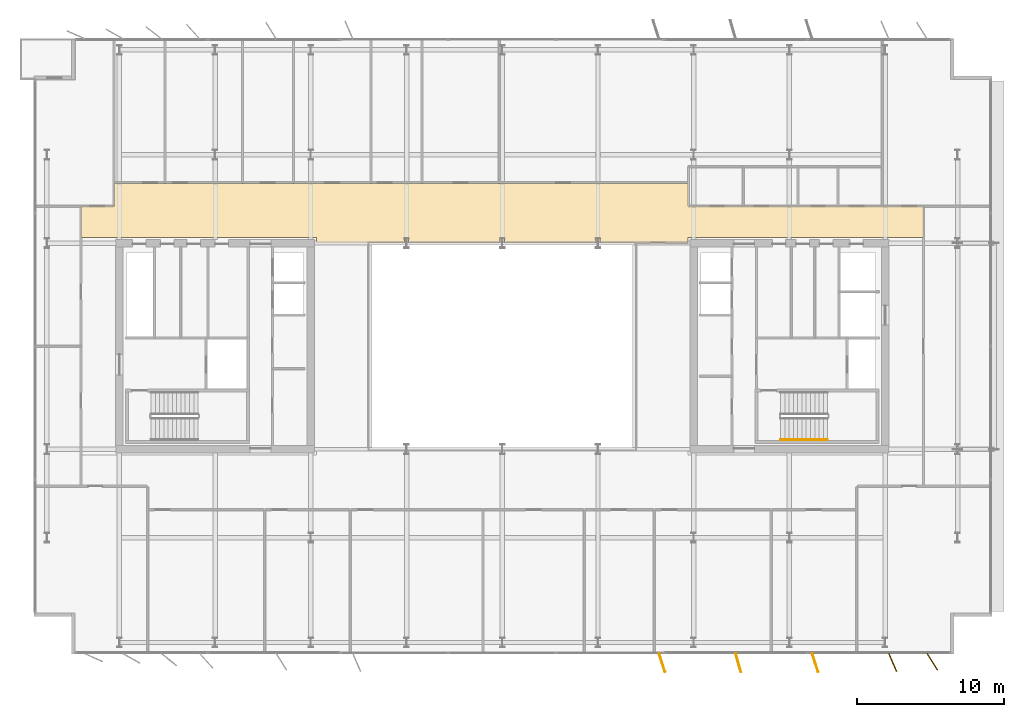
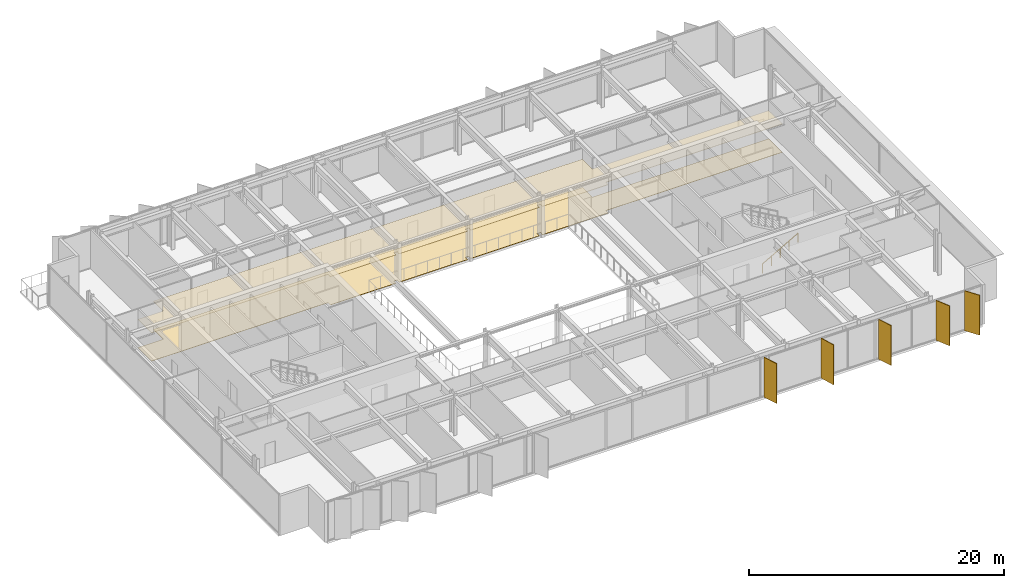
# One storey, part 19 of 21: 5 shading devices, 2 coverings, 1 railing.
"""IFC4 building model written with IfcOpenShell, lengths in metres."""

from ifc_helpers import new_model, si_unit, direction, frame, origin, origin_2d, place, context, subcontext, project, spatial, polyline, rectangle, circle, outline, extrude, material, layer, layer_set, type_object, element, save


model = new_model("IFC4")

# Units and contexts
model_context = context("Model", 3, precision=1e-05, world=origin(), true_north=direction((0.0, 1.0)))
body_context = subcontext(model_context, "Body", "Model", "MODEL_VIEW")
ifc_project = project(units=[si_unit("LENGTHUNIT", "METRE"), si_unit("AREAUNIT", "SQUARE_METRE"), si_unit("VOLUMEUNIT", "CUBIC_METRE"), si_unit("PLANEANGLEUNIT", "RADIAN"), si_unit("MASSUNIT", "GRAM", prefix="KILO")], contexts=[model_context])

# Site, building, storey
site_placement = place(None, origin())
site = spatial("IfcSite", under=ifc_project, at=site_placement, CompositionType="ELEMENT")
building_placement = place(site_placement, origin())
building = spatial("IfcBuilding", under=site, at=building_placement, Name="Putna Gate Headquarters", CompositionType="ELEMENT")
storey_placement = place(building_placement, frame((0.0, 0.0, 278.39990234375)))
storey = spatial("IfcBuildingStorey", under=building, at=storey_placement, Name="L70", CompositionType="ELEMENT", Elevation=278.39990234375)

# Coverings
ifc_material_1 = material(Name="Perforated mineral-fibre acoustic ceiling tile")
ifc_layer_1 = layer(ifc_material_1, 0.0400390625)
ifc_layer_set_1 = layer_set([ifc_layer_1], Name="Perforated mineral-fibre acoustic ceiling tile")
covering_type_1 = type_object("IfcCoveringType", Name="COV-ACOUSTIC-CEILING", PredefinedType="CEILING", material=ifc_layer_set_1)
covering_1_placement = place(storey_placement, frame((0.0, 0.0, 2.710205078125)))
element("IfcCovering", 1, at=covering_1_placement, inside=storey, type_object=covering_type_1, Name="L70 Acoustic Ceiling Covering 1", PredefinedType="CEILING", context=body_context, shape_type="SweptSolid", body=[
    extrude(outline(polyline([(45.360107421875, 33.285888671875), (45.339599609375, 33.285888671875), (45.339599609375, 33.342041015625), (45.660400390625, 33.342041015625), (45.660400390625, 33.285888671875), (45.639892578125, 33.285888671875), (45.639892578125, 33.02001953125), (51.60009765625, 33.02001953125), (51.60009765625, 33.3798828125), (67.6201171875, 33.3798828125), (67.6201171875, 35.52001953125), (51.60009765625, 35.52001953125), (51.60009765625, 37.06005859375), (12.677978515625, 37.06005859375), (12.677978515625, 35.52001953125), (10.3798828125, 35.52001953125), (10.3798828125, 33.3798828125), (26.39990234375, 33.3798828125), (26.39990234375, 33.02001953125), (32.360107421875, 33.02001953125), (32.360107421875, 33.285888671875), (32.339599609375, 33.285888671875), (32.339599609375, 33.342041015625), (32.660400390625, 33.342041015625), (32.660400390625, 33.285888671875), (32.639892578125, 33.285888671875), (32.639892578125, 33.02001953125), (38.860107421875, 33.02001953125), (38.860107421875, 33.285888671875), (38.839599609375, 33.285888671875), (38.839599609375, 33.342041015625), (39.160400390625, 33.342041015625), (39.160400390625, 33.285888671875), (39.139892578125, 33.285888671875), (39.139892578125, 33.02001953125), (45.360107421875, 33.02001953125), (45.360107421875, 33.285888671875)])), origin(), (0.0, 0.0, 1.0), 0.039794921875),
])
ifc_material_2 = material(Name="Calcium-sulphate raised access floor finish")
ifc_layer_2 = layer(ifc_material_2, 0.030029296875)
ifc_layer_set_2 = layer_set([ifc_layer_2], Name="Calcium-sulphate raised access floor finish")
covering_type_2 = type_object("IfcCoveringType", Name="COV-RAISED-FLOORING", PredefinedType="FLOORING", material=ifc_layer_set_2)
covering_2_placement = place(storey_placement, origin())
element("IfcCovering", 2, at=covering_2_placement, inside=storey, type_object=covering_type_2, Name="L70 Raised Access Floor Covering 1", PredefinedType="FLOORING", context=body_context, shape_type="SweptSolid", body=[
    extrude(outline(polyline([(45.360107421875, 33.285888671875), (45.339599609375, 33.285888671875), (45.339599609375, 33.342041015625), (45.660400390625, 33.342041015625), (45.660400390625, 33.285888671875), (45.639892578125, 33.285888671875), (45.639892578125, 33.02001953125), (51.60009765625, 33.02001953125), (51.60009765625, 33.3798828125), (67.6201171875, 33.3798828125), (67.6201171875, 35.52001953125), (51.60009765625, 35.52001953125), (51.60009765625, 37.06005859375), (12.677978515625, 37.06005859375), (12.677978515625, 35.52001953125), (10.3798828125, 35.52001953125), (10.3798828125, 33.3798828125), (26.39990234375, 33.3798828125), (26.39990234375, 33.02001953125), (32.360107421875, 33.02001953125), (32.360107421875, 33.285888671875), (32.339599609375, 33.285888671875), (32.339599609375, 33.342041015625), (32.660400390625, 33.342041015625), (32.660400390625, 33.285888671875), (32.639892578125, 33.285888671875), (32.639892578125, 33.02001953125), (38.860107421875, 33.02001953125), (38.860107421875, 33.285888671875), (38.839599609375, 33.285888671875), (38.839599609375, 33.342041015625), (39.160400390625, 33.342041015625), (39.160400390625, 33.285888671875), (39.139892578125, 33.285888671875), (39.139892578125, 33.02001953125), (45.360107421875, 33.02001953125), (45.360107421875, 33.285888671875)])), origin(), (0.0, 0.0, 1.0), 0.030029296875),
])

# Railing
ifc_material_3 = material(Name="Brushed stainless steel handrail", Category="steel")
railing_type = type_object("IfcRailingType", Name="RAIL-STAIR-HAND-900", PredefinedType="HANDRAIL", material=ifc_material_3)
railing_placement = place(storey_placement, frame((57.89990234375, 19.64990234375, 0.166748046875)))
element("IfcRailing", 3, at=railing_placement, inside=storey, type_object=railing_type, Name="L70 ST2 stair handrail 1", PredefinedType="HANDRAIL", context=body_context, shape_type="SweptSolid", body=[
    extrude(circle(Radius=0.02392578125, at=origin_2d()), frame((0.0, 0.0, 0.8759765625), z_axis=(0.8670360191, 0.0, 0.498245463184), x_axis=(0.0, 1.0, 0.0)), (0.0, 0.0, 1.0), 3.679443359375),
    extrude(circle(Radius=0.02099609375, at=origin_2d()), origin(), (0.0, 0.0, 1.0), 0.851806640625),
    extrude(circle(Radius=0.02099609375, at=origin_2d()), frame((0.797607421875, 0.0, 0.458251953125)), (0.0, 0.0, 1.0), 0.851806640625),
    extrude(circle(Radius=0.02099609375, at=origin_2d()), frame((1.59521484375, 0.0, 0.91650390625)), (0.0, 0.0, 1.0), 0.851806640625),
    extrude(circle(Radius=0.02099609375, at=origin_2d()), frame((2.392578125, 0.0, 1.375)), (0.0, 0.0, 1.0), 0.851806640625),
    extrude(circle(Radius=0.02099609375, at=origin_2d()), frame((3.190185546875, 0.0, 1.833251953125)), (0.0, 0.0, 1.0), 0.851806640625),
])

# Shading devices
ifc_material_4 = material(Name="Anodised architectural bronze aluminium fin", Category="aluminium")
ifc_layer_3 = layer(ifc_material_4, 0.06494140625)
ifc_layer_set_3 = layer_set([ifc_layer_3], Name="Anodised architectural bronze aluminium fin")
shading_device_type = type_object("IfcShadingDeviceType", Name="SHADE-BRONZE-FIN-1320", PredefinedType="USERDEFINED", material=ifc_layer_set_3)
for number, where, z_axis, x_axis, name in (
    (4, (49.853759765625, 4.497314453125, -0.02001953125), (0.0, 0.0, 1.0), (0.308684994204, -0.951164325631, 0.0), "L70 Bronze Vertical Shading Fin S7"),
    (5, (55.031982421875, 4.490478515625, -0.02001953125), (0.0, 0.0, 1.0), (0.275637355817, -0.961261695938, 0.0), "L70 Bronze Vertical Shading Fin S8"),
    (6, (60.253662109375, 4.497314453125, -0.02001953125), (0.0, 0.0, 1.0), (0.308684994204, -0.951164325631, 0.0), "L70 Bronze Vertical Shading Fin S9"),
    (7, (65.514404296875, 4.520263671875, -0.02001953125), (0.0, 0.0, 1.0), (0.400668879095, -0.916222925562, 0.0), "L70 Bronze Vertical Shading Fin S10"),
    (8, (68.2001953125, 4.565673828125, -0.02001953125), (0.0, 0.0, 1.0), (0.530659123936, -0.847585331506, 0.0), "L70 Bronze Vertical Shading Fin S11"),
):
    element("IfcShadingDevice", number, at=place(storey_placement, frame(where, z_axis=z_axis, x_axis=x_axis)), inside=storey, type_object=shading_device_type, Name=name, ObjectType="FIN", PredefinedType="USERDEFINED", context=body_context, shape_type="SweptSolid", body=[
        extrude(rectangle(XDim=1.320068359375, YDim=0.06494140625, at=origin_2d()), origin(), (0.0, 0.0, 1.0), 3.827880859375),
    ])

save(model, "model.ifc")
